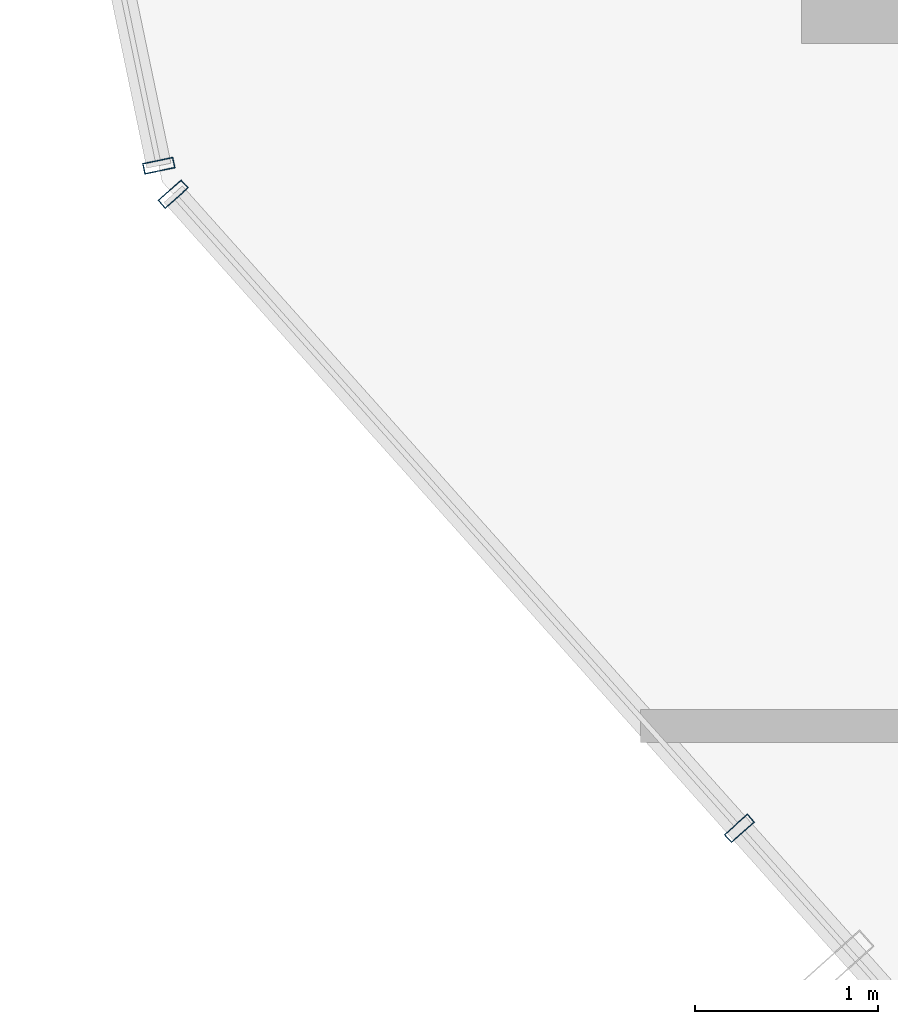
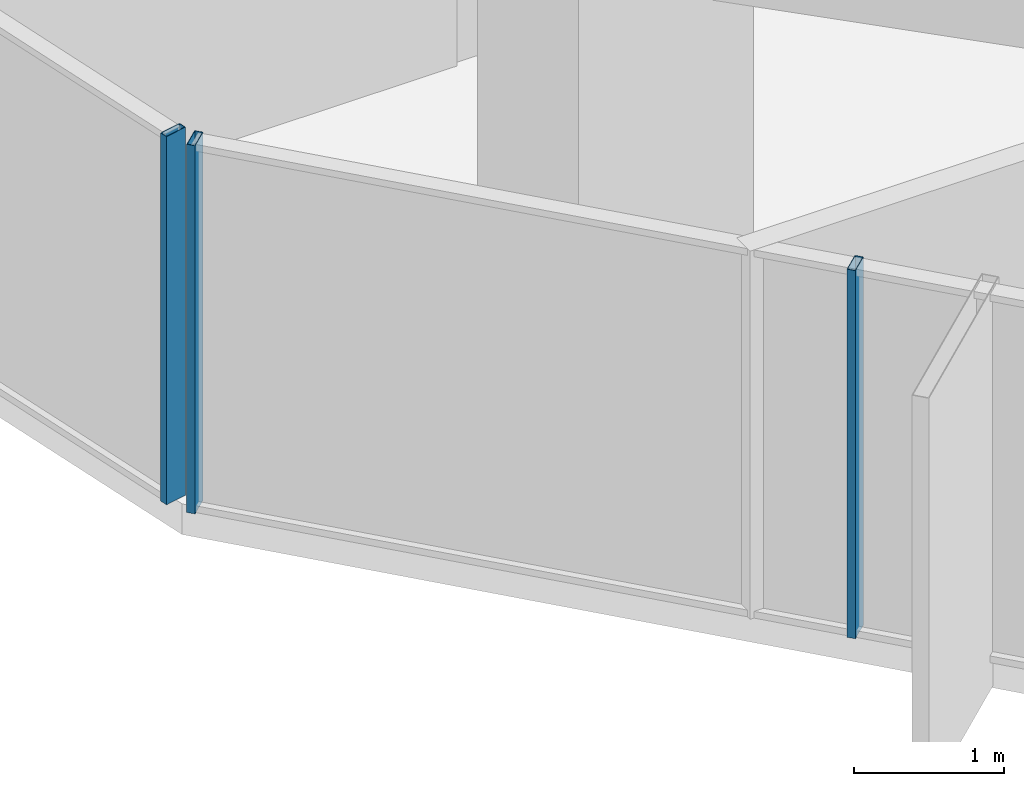
# One storey, part 4 of 38: 3 members, 2 elements without a shape of their own.
"""IFC4 building model written with IfcOpenShell, lengths in metres."""

import ifcopenshell
import ifcopenshell.guid

model = None  # the IFC model being written
_history = None  # IfcOwnerHistory: only IFC2X3 demands one
_inside = {}  # id of a spatial element -> (the spatial element, [elements in it])
_under = {}  # id of a project, library or spatial element -> (it, [spatial elements below it])
_declared = {}  # id of a project -> (the project, [libraries it declares])
_typed = {}  # id of a type object -> (the type object, [elements of that type])
_made_of = {}  # id of a material, layer set ... -> (it, [elements and type objects made of it])


def new_model(schema):
    """Start an empty IFC model of exactly this schema.

    Asked for "IFC4X3", IfcOpenShell would pick the latest addendum, in which some entities
    have other attributes; the version numbers below select the first issue.
    IFC2X3 requires an IfcOwnerHistory on every rooted entity: one is made here for all.
    """
    global model, _history
    if schema == "IFC4X3":
        model = ifcopenshell.file(schema_version=(4, 3, 0, 0))
    else:
        model = ifcopenshell.file(schema=schema)
    _inside.clear()
    _under.clear()
    _declared.clear()
    _typed.clear()
    _made_of.clear()
    _history = None
    if model.schema == "IFC2X3":
        org = make("IfcOrganization", Name="unknown")
        user = make(
            "IfcPersonAndOrganization",
            ThePerson=make("IfcPerson", FamilyName="unknown"),
            TheOrganization=org,
        )
        app = make(
            "IfcApplication",
            ApplicationDeveloper=org,
            Version="unknown",
            ApplicationFullName="unknown",
            ApplicationIdentifier="unknown",
        )
        _history = make(
            "IfcOwnerHistory",
            OwningUser=user,
            OwningApplication=app,
            ChangeAction="ADDED",
            CreationDate=0,
        )
    return model


def make(cls, **values):
    """One entity of the class cls with the attributes given. An attribute that is None is left unset."""
    return model.create_entity(
        cls, **{name: value for name, value in values.items() if value is not None}
    )


def rooted(cls, **values):
    """An entity with a GlobalId (a new one), such as an element, a storey or a relation."""
    return make(cls, GlobalId=ifcopenshell.guid.new(), OwnerHistory=_history, **values)


def si_unit(unit_type, name, prefix=None):
    """IfcSIUnit, for example si_unit("LENGTHUNIT", "METRE", prefix="MILLI")."""
    return make("IfcSIUnit", UnitType=unit_type, Prefix=prefix, Name=name)


def assignment(units):
    """IfcUnitAssignment: the units of a project."""
    return None if units is None else make("IfcUnitAssignment", Units=units)


def point(xyz):
    """IfcCartesianPoint."""
    return None if xyz is None else make("IfcCartesianPoint", Coordinates=xyz)


def direction(xyz):
    """IfcDirection."""
    return None if xyz is None else make("IfcDirection", DirectionRatios=xyz)


def frame(location, z_axis=None, x_axis=None):
    """IfcAxis2Placement3D, a coordinate frame: its origin and axes. An axis left out is left unset."""
    return make(
        "IfcAxis2Placement3D",
        Location=point(location),
        Axis=direction(z_axis),
        RefDirection=direction(x_axis),
    )


def frame_2d(location, x_axis=None):
    """IfcAxis2Placement2D, a coordinate frame in the plane: its origin and x axis."""
    return make(
        "IfcAxis2Placement2D", Location=point(location), RefDirection=direction(x_axis)
    )


def origin():
    """The frame at (0, 0, 0) with its axes left unset."""
    return frame((0.0, 0.0, 0.0))


def origin_2d():
    """The frame at (0, 0) in the plane with its x axis left unset."""
    return frame_2d((0.0, 0.0))


def place(relative_to, where):
    """IfcLocalPlacement: puts the frame where relative to a parent placement (None: the world)."""
    return make(
        "IfcLocalPlacement", PlacementRelTo=relative_to, RelativePlacement=where
    )


def context(
    kind, dimensions, precision=None, world=None, true_north=None, identifier=None
):
    """IfcGeometricRepresentationContext, for example the 3D "Model" context."""
    return make(
        "IfcGeometricRepresentationContext",
        ContextIdentifier=identifier,
        ContextType=kind,
        CoordinateSpaceDimension=dimensions,
        Precision=precision,
        WorldCoordinateSystem=world,
        TrueNorth=true_north,
    )


def subcontext(parent, identifier, kind, view, scale=None):
    """IfcGeometricRepresentationSubContext, for example "Body" below "Model"."""
    return make(
        "IfcGeometricRepresentationSubContext",
        ContextIdentifier=identifier,
        ContextType=kind,
        ParentContext=parent,
        TargetScale=scale,
        TargetView=view,
    )


def project(units=None, contexts=None):
    """IfcProject with its units and contexts."""
    return rooted(
        "IfcProject",
        Name="project",
        RepresentationContexts=contexts,
        UnitsInContext=assignment(units),
    )


def spatial(cls, under=None, at=None, **own):
    """A site, building, storey or space (cls), placed at a placement, below another one or the project."""
    s = rooted(cls, ObjectPlacement=at, **own)
    if under is not None:
        _under.setdefault(under.id(), (under, []))[1].append(s)
    return s


def profile(cls, at=None, kind="AREA", **sizes):
    """A parametric profile (cls). Its sizes go by their IFC names, for example OverallWidth=200.0."""
    return make(cls, ProfileType=kind, Position=at, **sizes)


def hollow_rectangle(**sizes):
    """IfcRectangleHollowProfileDef."""
    return profile("IfcRectangleHollowProfileDef", **sizes)


def extrude(swept, where, along, depth):
    """IfcExtrudedAreaSolid: the profile swept, set in the frame where, extruded along a direction by depth."""
    return make(
        "IfcExtrudedAreaSolid",
        SweptArea=swept,
        Position=where,
        ExtrudedDirection=direction(along),
        Depth=depth,
    )


def shape(context_of_items, identifier, shape_type, items):
    """IfcShapeRepresentation: the items that make up one representation, for example the "Body"."""
    return make(
        "IfcShapeRepresentation",
        ContextOfItems=context_of_items,
        RepresentationIdentifier=identifier,
        RepresentationType=shape_type,
        Items=items,
    )


def source(mapping_origin, context_of_items, identifier, shape_type, items):
    """IfcRepresentationMap: a shape defined once, which mapped items show again and again."""
    return make(
        "IfcRepresentationMap",
        MappingOrigin=mapping_origin,
        MappedRepresentation=shape(context_of_items, identifier, shape_type, items),
    )


def transform(
    local_origin,
    x_axis=None,
    y_axis=None,
    z_axis=None,
    scale=None,
    scale2=None,
    scale3=None,
    uniform=True,
):
    """IfcCartesianTransformationOperator3D, or its non-uniform kind. x_axis, y_axis, z_axis: its Axis1, 2, 3."""
    if uniform:
        return make(
            "IfcCartesianTransformationOperator3D",
            Axis1=direction(x_axis),
            Axis2=direction(y_axis),
            LocalOrigin=point(local_origin),
            Scale=scale,
            Axis3=direction(z_axis),
        )
    return make(
        "IfcCartesianTransformationOperator3DnonUniform",
        Axis1=direction(x_axis),
        Axis2=direction(y_axis),
        LocalOrigin=point(local_origin),
        Scale=scale,
        Axis3=direction(z_axis),
        Scale2=scale2,
        Scale3=scale3,
    )


def mapped(mapping_source, mapping_target):
    """IfcMappedItem: shows the shape of a source again, moved by a transform."""
    return make(
        "IfcMappedItem", MappingSource=mapping_source, MappingTarget=mapping_target
    )


def material(Name=None, Category=None):
    """IfcMaterial."""
    return make("IfcMaterial", Name=Name, Category=Category)


def layer(
    of_material, thickness, ventilated=None, Name=None, Category=None, Priority=None
):
    """IfcMaterialLayer: one layer of a wall or slab, of a material (None: an air gap)."""
    return make(
        "IfcMaterialLayer",
        Material=of_material,
        LayerThickness=thickness,
        IsVentilated=ventilated,
        Name=Name,
        Category=Category,
        Priority=Priority,
    )


def layer_set(layers, Name=None):
    """IfcMaterialLayerSet."""
    return make("IfcMaterialLayerSet", MaterialLayers=layers, LayerSetName=Name)


def material_profile(
    of_material, cross_section, Name=None, Category=None, Priority=None
):
    """IfcMaterialProfile: a cross section and its material."""
    return make(
        "IfcMaterialProfile",
        Name=Name,
        Material=of_material,
        Profile=cross_section,
        Priority=Priority,
        Category=Category,
    )


def profile_set(profiles, Name=None, composite=None):
    """IfcMaterialProfileSet."""
    return make(
        "IfcMaterialProfileSet",
        Name=Name,
        MaterialProfiles=profiles,
        CompositeProfile=composite,
    )


def made_of(thing, what):
    """Note that an element or type object is made of a material, layer set ...; save() writes the relation."""
    if what is not None:
        _made_of.setdefault(what.id(), (what, []))[1].append(thing)
    return thing


def type_object(cls, material=None, **own):
    """A type object (cls), such as IfcWallType, which elements share."""
    return made_of(rooted(cls, **own), material)


def element(
    cls,
    number,
    at=None,
    inside=None,
    cuts=None,
    type_object=None,
    material=None,
    context=None,
    identifier="Body",
    shape_type=None,
    held_by="IfcProductDefinitionShape",
    body=None,
    shapes=None,
    **own,
):
    """One element of the class cls, such as IfcWall. Its Tag is "e" and its number.

    at: its placement. inside: the storey or other place that contains it. cuts: it is an
    opening in that element (IfcRelVoidsElement). A single representation is given by context,
    identifier, shape_type and body (its items); several are given by shapes. held_by: the class
    of the entity that holds the representations. save() writes the other relations.
    """
    e = rooted(cls, Tag="e%d" % number, ObjectPlacement=at, **own)
    if body is not None:
        shapes = [shape(context, identifier, shape_type, body)]
    if shapes is not None:
        e.Representation = make(held_by, Representations=shapes)
    if inside is not None:
        _inside.setdefault(inside.id(), (inside, []))[1].append(e)
    if cuts is not None:
        rooted(
            "IfcRelVoidsElement", RelatingBuildingElement=cuts, RelatedOpeningElement=e
        )
    if type_object is not None:
        _typed.setdefault(type_object.id(), (type_object, []))[1].append(e)
    return made_of(e, material)


def aggregate(whole, parts):
    """IfcRelAggregates: a whole, such as a stair, and the parts it consists of."""
    return rooted("IfcRelAggregates", RelatingObject=whole, RelatedObjects=parts)


def save(model, path):
    """Write the relations noted so far, then the file.

    IfcRelAggregates (storeys below a building ...), IfcRelContainedInSpatialStructure (elements
    in a storey), IfcRelDefinesByType, IfcRelAssociatesMaterial and IfcRelDeclares: one each for
    every whole, place, type object, material and project.
    """
    for whole, parts in _under.values():
        aggregate(whole, parts)
    for where, things in _inside.values():
        rooted(
            "IfcRelContainedInSpatialStructure",
            RelatedElements=things,
            RelatingStructure=where,
        )
    for kind, things in _typed.values():
        rooted("IfcRelDefinesByType", RelatedObjects=things, RelatingType=kind)
    for what, things in _made_of.values():
        rooted("IfcRelAssociatesMaterial", RelatedObjects=things, RelatingMaterial=what)
    for by, libraries in _declared.values():
        rooted("IfcRelDeclares", RelatingContext=by, RelatedDefinitions=libraries)
    model.write(path)


model = new_model("IFC4")

# Units and contexts
model_context = context("Model", 3, precision=1e-05, world=origin(), true_north=direction((0.0, 1.0)))
body_context = subcontext(model_context, "Body", "Model", "MODEL_VIEW")
ifc_project = project(units=[si_unit("LENGTHUNIT", "METRE"), si_unit("AREAUNIT", "SQUARE_METRE"), si_unit("VOLUMEUNIT", "CUBIC_METRE"), si_unit("PLANEANGLEUNIT", "RADIAN"), si_unit("MASSUNIT", "GRAM", prefix="KILO")], contexts=[model_context])

# Site, building, storey
site_placement = place(None, origin())
site = spatial("IfcSite", under=ifc_project, at=site_placement, CompositionType="ELEMENT")
building_placement = place(site_placement, origin())
building = spatial("IfcBuilding", under=site, at=building_placement, Name="Veraguas Prism Commons", CompositionType="ELEMENT")
storey_placement = place(building_placement, frame((0.0, 0.0, 64.10009765625)))
storey = spatial("IfcBuildingStorey", under=building, at=storey_placement, Name="L17", CompositionType="ELEMENT", Elevation=64.10009765625)

# Curtain wall, members
ifc_material = material(Name="Anodised aluminium EN AW-6063 T6", Category="aluminium")
ifc_layer = layer(ifc_material, 0.169921875, Name="Unitised Flush Curtain Wall Zone 1", Category="aluminium")
ifc_layer_set = layer_set([ifc_layer], Name="Anodised aluminium EN AW-6063 T6")
curtain_wall_type = type_object("IfcCurtainWallType", Name="Unitised Flush Curtain Wall Zone 1", PredefinedType="NOTDEFINED", material=ifc_layer_set)
curtain_wall_1_placement = place(storey_placement, origin())
curtain_wall_1 = element("IfcCurtainWall", 1, at=curtain_wall_1_placement, inside=storey, type_object=curtain_wall_type, Name="Tower Facade Curtain Wall L17-F4", PredefinedType="NOTDEFINED")
ifc_material_profile = material_profile(ifc_material, hollow_rectangle(XDim=0.06005859375, YDim=0.169921875, WallThickness=0.00390625, at=origin_2d()), Name="AL60X170X4")
ifc_profile_set = profile_set([ifc_material_profile], Name="Anodised aluminium EN AW-6063 T6")
member_type = type_object("IfcMemberType", Name="Curtain Wall Mullion Lower AL 60x170x4", PredefinedType="MULLION", material=ifc_profile_set)
shared_shape = source(origin(), body_context, "Body", "SweptSolid", [
    extrude(hollow_rectangle(XDim=0.06005859375, YDim=0.169921875, WallThickness=0.00390625, at=origin_2d()), origin(), (0.0, 0.0, 1.0), 3.0),
])
member_1_placement = place(storey_placement, frame((2.294189453125, 17.103271484375, 0.0), z_axis=(0.0, 0.0, 1.0), x_axis=(0.666011867434, -0.745941145424, 0.0)))
member_1 = element("IfcMember", 2, at=member_1_placement, type_object=member_type, Name="CW-Z1 Mullion 1", PredefinedType="MULLION", context=body_context, shape_type="MappedRepresentation", body=[
    mapped(shared_shape, transform((0.0, 0.0, 0.0), scale=1.0)),
])
member_2_placement = place(storey_placement, frame((5.385009765625, 13.641357421875, 0.0), z_axis=(0.0, 0.0, 1.0), x_axis=(0.666011867434, -0.745941145424, 0.0)))
member_2 = element("IfcMember", 3, at=member_2_placement, type_object=member_type, Name="CW-Z1 Mullion 2", PredefinedType="MULLION", context=body_context, shape_type="MappedRepresentation", body=[
    mapped(shared_shape, transform((0.0, 0.0, 0.0), scale=1.0)),
])
aggregate(curtain_wall_1, [member_1, member_2])

# Curtain wall, member
curtain_wall_2_placement = place(storey_placement, origin())
curtain_wall_2 = element("IfcCurtainWall", 4, at=curtain_wall_2_placement, inside=storey, type_object=curtain_wall_type, Name="Chamfer Curtain Wall L17-C4", PredefinedType="NOTDEFINED")
member_3_placement = place(storey_placement, frame((2.2158203125, 17.258544921875, 0.0), z_axis=(0.0, 0.0, 1.0), x_axis=(0.203810915013, -0.979010271101, 0.0)))
member_3 = element("IfcMember", 5, at=member_3_placement, type_object=member_type, Name="CW-Z1 Mullion 2", PredefinedType="MULLION", context=body_context, shape_type="MappedRepresentation", body=[
    mapped(shared_shape, transform((0.0, 0.0, 0.0), scale=1.0)),
])
aggregate(curtain_wall_2, [member_3])

save(model, "model.ifc")
